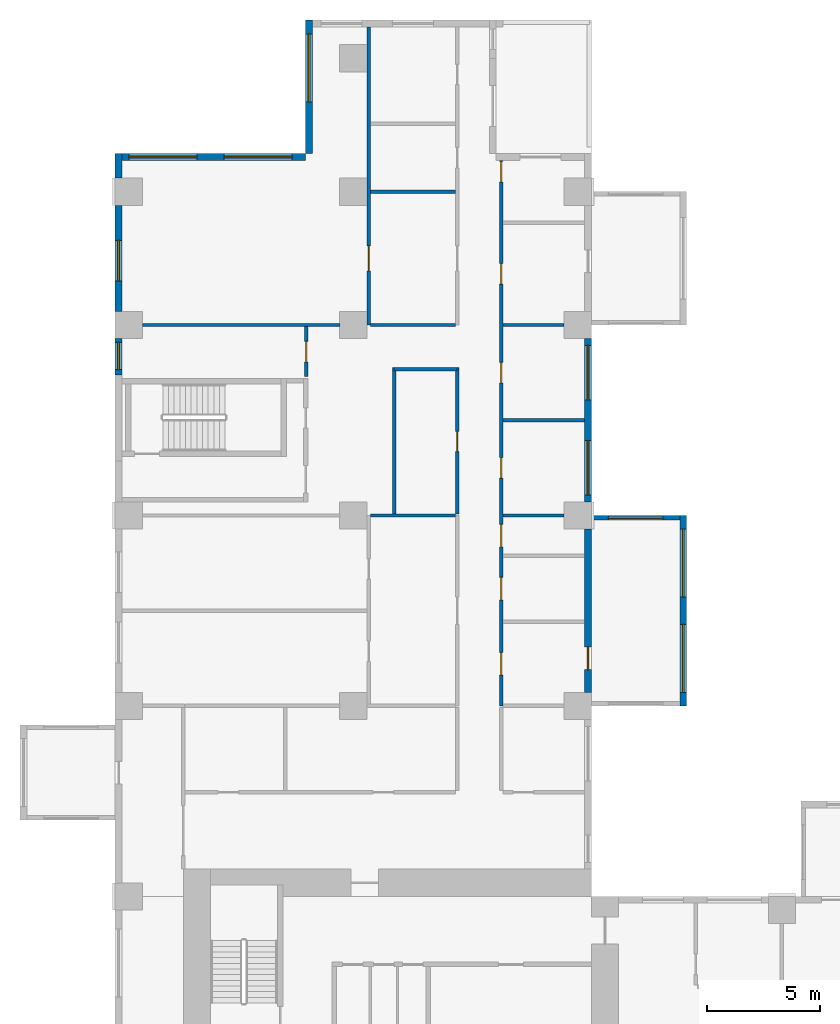
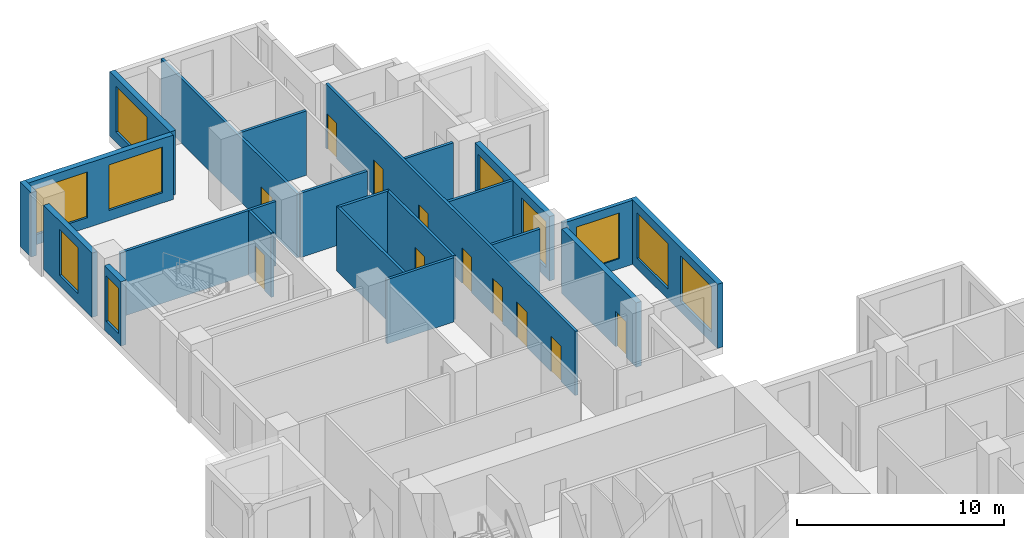
# One storey, part 7 of 14: 22 walls, 11 doors, 10 windows, 21 openings.
"""IFC4 building model written with IfcOpenShell, lengths in metres."""

import ifcopenshell
import ifcopenshell.guid

model = None  # the IFC model being written
_history = None  # IfcOwnerHistory: only IFC2X3 demands one
_inside = {}  # id of a spatial element -> (the spatial element, [elements in it])
_under = {}  # id of a project, library or spatial element -> (it, [spatial elements below it])
_declared = {}  # id of a project -> (the project, [libraries it declares])
_typed = {}  # id of a type object -> (the type object, [elements of that type])
_made_of = {}  # id of a material, layer set ... -> (it, [elements and type objects made of it])


def new_model(schema):
    """Start an empty IFC model of exactly this schema.

    Asked for "IFC4X3", IfcOpenShell would pick the latest addendum, in which some entities
    have other attributes; the version numbers below select the first issue.
    IFC2X3 requires an IfcOwnerHistory on every rooted entity: one is made here for all.
    """
    global model, _history
    if schema == "IFC4X3":
        model = ifcopenshell.file(schema_version=(4, 3, 0, 0))
    else:
        model = ifcopenshell.file(schema=schema)
    _inside.clear()
    _under.clear()
    _declared.clear()
    _typed.clear()
    _made_of.clear()
    _history = None
    if model.schema == "IFC2X3":
        org = make("IfcOrganization", Name="unknown")
        user = make(
            "IfcPersonAndOrganization",
            ThePerson=make("IfcPerson", FamilyName="unknown"),
            TheOrganization=org,
        )
        app = make(
            "IfcApplication",
            ApplicationDeveloper=org,
            Version="unknown",
            ApplicationFullName="unknown",
            ApplicationIdentifier="unknown",
        )
        _history = make(
            "IfcOwnerHistory",
            OwningUser=user,
            OwningApplication=app,
            ChangeAction="ADDED",
            CreationDate=0,
        )
    return model


def make(cls, **values):
    """One entity of the class cls with the attributes given. An attribute that is None is left unset."""
    return model.create_entity(
        cls, **{name: value for name, value in values.items() if value is not None}
    )


def rooted(cls, **values):
    """An entity with a GlobalId (a new one), such as an element, a storey or a relation."""
    return make(cls, GlobalId=ifcopenshell.guid.new(), OwnerHistory=_history, **values)


def si_unit(unit_type, name, prefix=None):
    """IfcSIUnit, for example si_unit("LENGTHUNIT", "METRE", prefix="MILLI")."""
    return make("IfcSIUnit", UnitType=unit_type, Prefix=prefix, Name=name)


def assignment(units):
    """IfcUnitAssignment: the units of a project."""
    return None if units is None else make("IfcUnitAssignment", Units=units)


def point(xyz):
    """IfcCartesianPoint."""
    return None if xyz is None else make("IfcCartesianPoint", Coordinates=xyz)


def direction(xyz):
    """IfcDirection."""
    return None if xyz is None else make("IfcDirection", DirectionRatios=xyz)


def frame(location, z_axis=None, x_axis=None):
    """IfcAxis2Placement3D, a coordinate frame: its origin and axes. An axis left out is left unset."""
    return make(
        "IfcAxis2Placement3D",
        Location=point(location),
        Axis=direction(z_axis),
        RefDirection=direction(x_axis),
    )


def frame_2d(location, x_axis=None):
    """IfcAxis2Placement2D, a coordinate frame in the plane: its origin and x axis."""
    return make(
        "IfcAxis2Placement2D", Location=point(location), RefDirection=direction(x_axis)
    )


def origin():
    """The frame at (0, 0, 0) with its axes left unset."""
    return frame((0.0, 0.0, 0.0))


def place(relative_to, where):
    """IfcLocalPlacement: puts the frame where relative to a parent placement (None: the world)."""
    return make(
        "IfcLocalPlacement", PlacementRelTo=relative_to, RelativePlacement=where
    )


def context(
    kind, dimensions, precision=None, world=None, true_north=None, identifier=None
):
    """IfcGeometricRepresentationContext, for example the 3D "Model" context."""
    return make(
        "IfcGeometricRepresentationContext",
        ContextIdentifier=identifier,
        ContextType=kind,
        CoordinateSpaceDimension=dimensions,
        Precision=precision,
        WorldCoordinateSystem=world,
        TrueNorth=true_north,
    )


def subcontext(parent, identifier, kind, view, scale=None):
    """IfcGeometricRepresentationSubContext, for example "Body" below "Model"."""
    return make(
        "IfcGeometricRepresentationSubContext",
        ContextIdentifier=identifier,
        ContextType=kind,
        ParentContext=parent,
        TargetScale=scale,
        TargetView=view,
    )


def project(units=None, contexts=None):
    """IfcProject with its units and contexts."""
    return rooted(
        "IfcProject",
        Name="project",
        RepresentationContexts=contexts,
        UnitsInContext=assignment(units),
    )


def spatial(cls, under=None, at=None, **own):
    """A site, building, storey or space (cls), placed at a placement, below another one or the project."""
    s = rooted(cls, ObjectPlacement=at, **own)
    if under is not None:
        _under.setdefault(under.id(), (under, []))[1].append(s)
    return s


def profile(cls, at=None, kind="AREA", **sizes):
    """A parametric profile (cls). Its sizes go by their IFC names, for example OverallWidth=200.0."""
    return make(cls, ProfileType=kind, Position=at, **sizes)


def rectangle(**sizes):
    """IfcRectangleProfileDef."""
    return profile("IfcRectangleProfileDef", **sizes)


def extrude(swept, where, along, depth):
    """IfcExtrudedAreaSolid: the profile swept, set in the frame where, extruded along a direction by depth."""
    return make(
        "IfcExtrudedAreaSolid",
        SweptArea=swept,
        Position=where,
        ExtrudedDirection=direction(along),
        Depth=depth,
    )


def shape(context_of_items, identifier, shape_type, items):
    """IfcShapeRepresentation: the items that make up one representation, for example the "Body"."""
    return make(
        "IfcShapeRepresentation",
        ContextOfItems=context_of_items,
        RepresentationIdentifier=identifier,
        RepresentationType=shape_type,
        Items=items,
    )


def source(mapping_origin, context_of_items, identifier, shape_type, items):
    """IfcRepresentationMap: a shape defined once, which mapped items show again and again."""
    return make(
        "IfcRepresentationMap",
        MappingOrigin=mapping_origin,
        MappedRepresentation=shape(context_of_items, identifier, shape_type, items),
    )


def transform(
    local_origin,
    x_axis=None,
    y_axis=None,
    z_axis=None,
    scale=None,
    scale2=None,
    scale3=None,
    uniform=True,
):
    """IfcCartesianTransformationOperator3D, or its non-uniform kind. x_axis, y_axis, z_axis: its Axis1, 2, 3."""
    if uniform:
        return make(
            "IfcCartesianTransformationOperator3D",
            Axis1=direction(x_axis),
            Axis2=direction(y_axis),
            LocalOrigin=point(local_origin),
            Scale=scale,
            Axis3=direction(z_axis),
        )
    return make(
        "IfcCartesianTransformationOperator3DnonUniform",
        Axis1=direction(x_axis),
        Axis2=direction(y_axis),
        LocalOrigin=point(local_origin),
        Scale=scale,
        Axis3=direction(z_axis),
        Scale2=scale2,
        Scale3=scale3,
    )


def mapped(mapping_source, mapping_target):
    """IfcMappedItem: shows the shape of a source again, moved by a transform."""
    return make(
        "IfcMappedItem", MappingSource=mapping_source, MappingTarget=mapping_target
    )


def material(Name=None, Category=None):
    """IfcMaterial."""
    return make("IfcMaterial", Name=Name, Category=Category)


def layer(
    of_material, thickness, ventilated=None, Name=None, Category=None, Priority=None
):
    """IfcMaterialLayer: one layer of a wall or slab, of a material (None: an air gap)."""
    return make(
        "IfcMaterialLayer",
        Material=of_material,
        LayerThickness=thickness,
        IsVentilated=ventilated,
        Name=Name,
        Category=Category,
        Priority=Priority,
    )


def layer_set(layers, Name=None):
    """IfcMaterialLayerSet."""
    return make("IfcMaterialLayerSet", MaterialLayers=layers, LayerSetName=Name)


def made_of(thing, what):
    """Note that an element or type object is made of a material, layer set ...; save() writes the relation."""
    if what is not None:
        _made_of.setdefault(what.id(), (what, []))[1].append(thing)
    return thing


def type_object(cls, material=None, **own):
    """A type object (cls), such as IfcWallType, which elements share."""
    return made_of(rooted(cls, **own), material)


def element(
    cls,
    number,
    at=None,
    inside=None,
    cuts=None,
    type_object=None,
    material=None,
    context=None,
    identifier="Body",
    shape_type=None,
    held_by="IfcProductDefinitionShape",
    body=None,
    shapes=None,
    **own,
):
    """One element of the class cls, such as IfcWall. Its Tag is "e" and its number.

    at: its placement. inside: the storey or other place that contains it. cuts: it is an
    opening in that element (IfcRelVoidsElement). A single representation is given by context,
    identifier, shape_type and body (its items); several are given by shapes. held_by: the class
    of the entity that holds the representations. save() writes the other relations.
    """
    e = rooted(cls, Tag="e%d" % number, ObjectPlacement=at, **own)
    if body is not None:
        shapes = [shape(context, identifier, shape_type, body)]
    if shapes is not None:
        e.Representation = make(held_by, Representations=shapes)
    if inside is not None:
        _inside.setdefault(inside.id(), (inside, []))[1].append(e)
    if cuts is not None:
        rooted(
            "IfcRelVoidsElement", RelatingBuildingElement=cuts, RelatedOpeningElement=e
        )
    if type_object is not None:
        _typed.setdefault(type_object.id(), (type_object, []))[1].append(e)
    return made_of(e, material)


def fill(opening, filler):
    """IfcRelFillsElement: the door or window that sits in an opening."""
    return rooted(
        "IfcRelFillsElement",
        RelatingOpeningElement=opening,
        RelatedBuildingElement=filler,
    )


def aggregate(whole, parts):
    """IfcRelAggregates: a whole, such as a stair, and the parts it consists of."""
    return rooted("IfcRelAggregates", RelatingObject=whole, RelatedObjects=parts)


def save(model, path):
    """Write the relations noted so far, then the file.

    IfcRelAggregates (storeys below a building ...), IfcRelContainedInSpatialStructure (elements
    in a storey), IfcRelDefinesByType, IfcRelAssociatesMaterial and IfcRelDeclares: one each for
    every whole, place, type object, material and project.
    """
    for whole, parts in _under.values():
        aggregate(whole, parts)
    for where, things in _inside.values():
        rooted(
            "IfcRelContainedInSpatialStructure",
            RelatedElements=things,
            RelatingStructure=where,
        )
    for kind, things in _typed.values():
        rooted("IfcRelDefinesByType", RelatedObjects=things, RelatingType=kind)
    for what, things in _made_of.values():
        rooted("IfcRelAssociatesMaterial", RelatedObjects=things, RelatingMaterial=what)
    for by, libraries in _declared.values():
        rooted("IfcRelDeclares", RelatingContext=by, RelatedDefinitions=libraries)
    model.write(path)


model = new_model("IFC4")

# Units and contexts
model_context = context("Model", 3, precision=1e-05, world=origin(), true_north=direction((0.0, 1.0)))
body_context = subcontext(model_context, "Body", "Model", "MODEL_VIEW")
ifc_project = project(units=[si_unit("LENGTHUNIT", "METRE"), si_unit("AREAUNIT", "SQUARE_METRE"), si_unit("VOLUMEUNIT", "CUBIC_METRE"), si_unit("PLANEANGLEUNIT", "RADIAN"), si_unit("MASSUNIT", "GRAM", prefix="KILO")], contexts=[model_context])

# Site, building, storey
site_placement = place(None, origin())
site = spatial("IfcSite", under=ifc_project, at=site_placement, CompositionType="ELEMENT")
building_placement = place(site_placement, origin())
building = spatial("IfcBuilding", under=site, at=building_placement, Name="Aurelian Terraces", CompositionType="ELEMENT")
storey_placement = place(building_placement, frame((0.0, 0.0, 90.9)))
storey = spatial("IfcBuildingStorey", under=building, at=storey_placement, Name="L19", CompositionType="ELEMENT", Elevation=90.9)

# Wall, openings, doors
ifc_material_1 = material(Name="Gypsum board on steel studs", Category="steel")
ifc_layer_1 = layer(ifc_material_1, 0.15)
ifc_layer_set_1 = layer_set([ifc_layer_1], Name="Fire partition 150")
wall_type_1 = type_object("IfcWallType", Name="Fire partition 150", PredefinedType="PARTITIONING", material=ifc_layer_set_1)
wall_1_placement = place(storey_placement, frame((17.025, 53.555, 0.0), z_axis=(0.0, 0.0, 1.0), x_axis=(0.0, -1.0, 0.0)))
wall_1 = element("IfcWall", 1, at=wall_1_placement, inside=storey, type_object=wall_type_1, Name="Corridor wall", PredefinedType="PARTITIONING", context=body_context, shape_type="SweptSolid", body=[
    extrude(rectangle(XDim=24.155, YDim=0.15, at=frame_2d((12.0775, 0.0))), origin(), (0.0, 0.0, 1.0), 3.8),
])
shared_shape_1 = source(origin(), body_context, "Body", "SweptSolid", [
    extrude(rectangle(XDim=1.0, YDim=2.1, at=frame_2d((0.5, 1.05))), frame((0.0, 0.085, 0.0), z_axis=(0.0, -1.0, 0.0), x_axis=(1.0, 0.0, 0.0)), (0.0, 0.0, 1.0), 0.17),
])
opening_1_placement = place(wall_1_placement, frame((21.7983, 0.0, 0.0)))
opening_1 = element("IfcOpeningElement", 2, at=opening_1_placement, cuts=wall_1, Name="Opening 719040", PredefinedType="OPENING", context=body_context, shape_type="MappedRepresentation", body=[
    mapped(shared_shape_1, transform((0.0, 0.0, 0.0), scale=1.0)),
])
opening_2_placement = place(wall_1_placement, frame((18.4864, 0.0, 0.0)))
opening_2 = element("IfcOpeningElement", 3, at=opening_2_placement, cuts=wall_1, Name="Opening 719041", PredefinedType="OPENING", context=body_context, shape_type="MappedRepresentation", body=[
    mapped(shared_shape_1, transform((0.0, 0.0, 0.0), scale=1.0)),
])
opening_3_placement = place(wall_1_placement, frame((16.143, 0.0, 0.0)))
opening_3 = element("IfcOpeningElement", 4, at=opening_3_placement, cuts=wall_1, Name="Opening 719042", PredefinedType="OPENING", context=body_context, shape_type="MappedRepresentation", body=[
    mapped(shared_shape_1, transform((0.0, 0.0, 0.0), scale=1.0)),
])
shared_shape_2 = source(origin(), body_context, "Body", "SweptSolid", [
    extrude(rectangle(XDim=0.9, YDim=2.1, at=frame_2d((0.45, 1.05))), frame((0.0, 0.085, 0.0), z_axis=(0.0, -1.0, 0.0), x_axis=(1.0, 0.0, 0.0)), (0.0, 0.0, 1.0), 0.17),
])
opening_4_placement = place(wall_1_placement, frame((13.205, 0.0, 0.0)))
opening_4 = element("IfcOpeningElement", 5, at=opening_4_placement, cuts=wall_1, Name="Opening 719043", PredefinedType="OPENING", context=body_context, shape_type="MappedRepresentation", body=[
    mapped(shared_shape_2, transform((0.0, 0.0, 0.0), scale=1.0)),
])
opening_5_placement = place(wall_1_placement, frame((9.005, 0.0, 0.0)))
opening_5 = element("IfcOpeningElement", 6, at=opening_5_placement, cuts=wall_1, Name="Opening 719044", PredefinedType="OPENING", context=body_context, shape_type="MappedRepresentation", body=[
    mapped(shared_shape_2, transform((0.0, 0.0, 0.0), scale=1.0)),
])
opening_6_placement = place(wall_1_placement, frame((4.6512, 0.0, 0.0)))
opening_6 = element("IfcOpeningElement", 7, at=opening_6_placement, cuts=wall_1, Name="Opening 719045", PredefinedType="OPENING", context=body_context, shape_type="MappedRepresentation", body=[
    mapped(shared_shape_2, transform((0.0, 0.0, 0.0), scale=1.0)),
])
opening_7_placement = place(wall_1_placement, frame((0.1438, 0.0, 0.0)))
opening_7 = element("IfcOpeningElement", 8, at=opening_7_placement, cuts=wall_1, Name="Opening 719046", PredefinedType="OPENING", context=body_context, shape_type="MappedRepresentation", body=[
    mapped(shared_shape_2, transform((0.0, 0.0, 0.0), scale=1.0)),
])
ifc_material_2 = material(Name="Timber door leaf", Category="wood")
door_type_1 = type_object("IfcDoorType", Name="Room door 1000x2100 left", OperationType="SINGLE_SWING_LEFT", PredefinedType="DOOR", material=ifc_material_2)
shared_shape_3 = source(origin(), body_context, "Body", "SweptSolid", [
    extrude(rectangle(XDim=1.0, YDim=2.1, at=frame_2d((0.5, 1.05))), frame((0.0, 0.025, 0.0), z_axis=(0.0, -1.0, 0.0), x_axis=(1.0, 0.0, 0.0)), (0.0, 0.0, 1.0), 0.05),
])
door_1_placement = place(opening_1_placement, origin())
door_1 = element("IfcDoor", 9, at=door_1_placement, inside=storey, type_object=door_type_1, Name="Door 719040", OperationType="SINGLE_SWING_LEFT", OverallHeight=2.1, OverallWidth=1.0, PredefinedType="DOOR", context=body_context, shape_type="MappedRepresentation", body=[
    mapped(shared_shape_3, transform((0.0, 0.0, 0.0), scale=1.0)),
])
fill(opening_1, door_1)
door_type_2 = type_object("IfcDoorType", Name="Room door 1000x2100 right", OperationType="SINGLE_SWING_RIGHT", PredefinedType="DOOR", material=ifc_material_2)
door_2_placement = place(opening_2_placement, origin())
door_2 = element("IfcDoor", 10, at=door_2_placement, inside=storey, type_object=door_type_2, Name="Door 719041", OperationType="SINGLE_SWING_RIGHT", OverallHeight=2.1, OverallWidth=1.0, PredefinedType="DOOR", context=body_context, shape_type="MappedRepresentation", body=[
    mapped(shared_shape_3, transform((0.0, 0.0, 0.0), scale=1.0)),
])
fill(opening_2, door_2)
door_3_placement = place(opening_3_placement, origin())
door_3 = element("IfcDoor", 11, at=door_3_placement, inside=storey, type_object=door_type_1, Name="Door 719042", OperationType="SINGLE_SWING_LEFT", OverallHeight=2.1, OverallWidth=1.0, PredefinedType="DOOR", context=body_context, shape_type="MappedRepresentation", body=[
    mapped(shared_shape_3, transform((0.0, 0.0, 0.0), scale=1.0)),
])
fill(opening_3, door_3)
door_type_3 = type_object("IfcDoorType", Name="Room door 900x2100 left", OperationType="SINGLE_SWING_LEFT", PredefinedType="DOOR", material=ifc_material_2)
shared_shape_4 = source(origin(), body_context, "Body", "SweptSolid", [
    extrude(rectangle(XDim=0.9, YDim=2.1, at=frame_2d((0.45, 1.05))), frame((0.0, 0.025, 0.0), z_axis=(0.0, -1.0, 0.0), x_axis=(1.0, 0.0, 0.0)), (0.0, 0.0, 1.0), 0.05),
])
door_4_placement = place(opening_4_placement, origin())
door_4 = element("IfcDoor", 12, at=door_4_placement, inside=storey, type_object=door_type_3, Name="Door 719043", OperationType="SINGLE_SWING_LEFT", OverallHeight=2.1, OverallWidth=0.9, PredefinedType="DOOR", context=body_context, shape_type="MappedRepresentation", body=[
    mapped(shared_shape_4, transform((0.0, 0.0, 0.0), scale=1.0)),
])
fill(opening_4, door_4)
door_type_4 = type_object("IfcDoorType", Name="Room door 900x2100 right", OperationType="SINGLE_SWING_RIGHT", PredefinedType="DOOR", material=ifc_material_2)
door_5_placement = place(opening_5_placement, origin())
door_5 = element("IfcDoor", 13, at=door_5_placement, inside=storey, type_object=door_type_4, Name="Door 719044", OperationType="SINGLE_SWING_RIGHT", OverallHeight=2.1, OverallWidth=0.9, PredefinedType="DOOR", context=body_context, shape_type="MappedRepresentation", body=[
    mapped(shared_shape_4, transform((0.0, 0.0, 0.0), scale=1.0)),
])
fill(opening_5, door_5)
door_6_placement = place(opening_6_placement, origin())
door_6 = element("IfcDoor", 14, at=door_6_placement, inside=storey, type_object=door_type_3, Name="Door 719045", OperationType="SINGLE_SWING_LEFT", OverallHeight=2.1, OverallWidth=0.9, PredefinedType="DOOR", context=body_context, shape_type="MappedRepresentation", body=[
    mapped(shared_shape_4, transform((0.0, 0.0, 0.0), scale=1.0)),
])
fill(opening_6, door_6)
door_7_placement = place(opening_7_placement, origin())
door_7 = element("IfcDoor", 15, at=door_7_placement, inside=storey, type_object=door_type_4, Name="Door 719046", OperationType="SINGLE_SWING_RIGHT", OverallHeight=2.1, OverallWidth=0.9, PredefinedType="DOOR", context=body_context, shape_type="MappedRepresentation", body=[
    mapped(shared_shape_4, transform((0.0, 0.0, 0.0), scale=1.0)),
])
fill(opening_7, door_7)

# Wall, opening, door
ifc_material_3 = material(Name="Terracotta rainscreen cladding", Category="masonry")
ifc_layer_2 = layer(ifc_material_3, 0.3)
ifc_layer_set_2 = layer_set([ifc_layer_2], Name="EW-300")
wall_type_2 = type_object("IfcWallType", Name="EW-300", PredefinedType="STANDARD", material=ifc_layer_set_2)
shared_shape_5 = source(origin(), body_context, "Body", "SweptSolid", [
    extrude(rectangle(XDim=7.2, YDim=0.3, at=frame_2d((3.6, 0.0))), origin(), (0.0, 0.0, 1.0), 3.8),
])
wall_2_placement = place(storey_placement, frame((20.85, 30.0, 0.0), z_axis=(0.0, 0.0, 1.0), x_axis=(0.0, 1.0, 0.0)))
wall_2 = element("IfcWall", 16, at=wall_2_placement, inside=storey, type_object=wall_type_2, Name="External wall L19 F08.25", PredefinedType="STANDARD", context=body_context, shape_type="MappedRepresentation", body=[
    mapped(shared_shape_5, transform((0.0, 0.0, 0.0), scale=1.0)),
])
shared_shape_6 = source(origin(), body_context, "Body", "SweptSolid", [
    extrude(rectangle(XDim=1.0, YDim=2.1, at=frame_2d((0.5, 1.05))), frame((0.0, 0.16, 0.0), z_axis=(0.0, -1.0, 0.0), x_axis=(1.0, 0.0, 0.0)), (0.0, 0.0, 1.0), 0.32),
])
opening_8_placement = place(wall_2_placement, frame((1.0, 0.0, 0.0)))
opening_8 = element("IfcOpeningElement", 17, at=opening_8_placement, cuts=wall_2, Name="Opening 819005", PredefinedType="OPENING", context=body_context, shape_type="MappedRepresentation", body=[
    mapped(shared_shape_6, transform((0.0, 0.0, 0.0), scale=1.0)),
])
door_8_placement = place(opening_8_placement, origin())
door_8 = element("IfcDoor", 18, at=door_8_placement, inside=storey, type_object=door_type_1, Name="Door 819005", OperationType="SINGLE_SWING_LEFT", OverallHeight=2.1, OverallWidth=1.0, PredefinedType="DOOR", context=body_context, shape_type="MappedRepresentation", body=[
    mapped(shared_shape_3, transform((0.0, 0.0, 0.0), scale=1.0)),
])
fill(opening_8, door_8)

# Wall, openings, windows
wall_3_placement = place(storey_placement, frame((20.85, 38.4, 0.0), z_axis=(0.0, 0.0, 1.0), x_axis=(0.0, 1.0, 0.0)))
wall_3 = element("IfcWall", 19, at=wall_3_placement, inside=storey, type_object=wall_type_2, Name="External wall L19 F08.26", PredefinedType="STANDARD", context=body_context, shape_type="MappedRepresentation", body=[
    mapped(shared_shape_5, transform((0.0, 0.0, 0.0), scale=1.0)),
])
shared_shape_7 = source(origin(), body_context, "Body", "SweptSolid", [
    extrude(rectangle(XDim=2.4, YDim=2.7, at=frame_2d((1.2, 1.35))), frame((0.0, 0.16, 0.0), z_axis=(0.0, -1.0, 0.0), x_axis=(1.0, 0.0, 0.0)), (0.0, 0.0, 1.0), 0.32),
])
opening_9_placement = place(wall_3_placement, frame((0.3, 0.0, 0.6)))
opening_9 = element("IfcOpeningElement", 20, at=opening_9_placement, cuts=wall_3, Name="Opening W2427", PredefinedType="OPENING", context=body_context, shape_type="MappedRepresentation", body=[
    mapped(shared_shape_7, transform((0.0, 0.0, 0.0), scale=1.0)),
])
opening_10_placement = place(wall_3_placement, frame((4.5, 0.0, 0.6)))
opening_10 = element("IfcOpeningElement", 21, at=opening_10_placement, cuts=wall_3, Name="Opening W2427", PredefinedType="OPENING", context=body_context, shape_type="MappedRepresentation", body=[
    mapped(shared_shape_7, transform((0.0, 0.0, 0.0), scale=1.0)),
])
ifc_material_4 = material(Name="Clear glazing", Category="glass")
window_type_1 = type_object("IfcWindowType", Name="W-2400x2700", PartitioningType="SINGLE_PANEL", PredefinedType="WINDOW", material=ifc_material_4)
shared_shape_8 = source(origin(), body_context, "Body", "SweptSolid", [
    extrude(rectangle(XDim=2.4, YDim=2.7, at=frame_2d((1.2, 1.35))), frame((0.0, 0.03, 0.0), z_axis=(0.0, -1.0, 0.0), x_axis=(1.0, 0.0, 0.0)), (0.0, 0.0, 1.0), 0.06),
])
window_1_placement = place(opening_9_placement, origin())
window_1 = element("IfcWindow", 22, at=window_1_placement, inside=storey, type_object=window_type_1, Name="Window L19 L19-F08-26-0", OverallHeight=2.7, OverallWidth=2.4, PartitioningType="SINGLE_PANEL", PredefinedType="WINDOW", context=body_context, shape_type="MappedRepresentation", body=[
    mapped(shared_shape_8, transform((0.0, 0.0, 0.0), scale=1.0)),
])
fill(opening_9, window_1)
window_2_placement = place(opening_10_placement, origin())
window_2 = element("IfcWindow", 23, at=window_2_placement, inside=storey, type_object=window_type_1, Name="Window L19 L19-F08-26-1", OverallHeight=2.7, OverallWidth=2.4, PartitioningType="SINGLE_PANEL", PredefinedType="WINDOW", context=body_context, shape_type="MappedRepresentation", body=[
    mapped(shared_shape_8, transform((0.0, 0.0, 0.0), scale=1.0)),
])
fill(opening_10, window_2)

# Wall, opening, window
shared_shape_9 = source(origin(), body_context, "Body", "SweptSolid", [
    extrude(rectangle(XDim=4.68, YDim=0.3, at=frame_2d((2.34, 0.0))), origin(), (0.0, 0.0, 1.0), 3.8),
])
wall_4_placement = place(storey_placement, frame((0.15, 51.48, 0.0), z_axis=(0.0, 0.0, 1.0), x_axis=(0.0, -1.0, 0.0)))
wall_4 = element("IfcWall", 24, at=wall_4_placement, inside=storey, type_object=wall_type_2, Name="External wall L19 F14.35", PredefinedType="STANDARD", context=body_context, shape_type="MappedRepresentation", body=[
    mapped(shared_shape_9, transform((0.0, 0.0, 0.0), scale=1.0)),
])
shared_shape_10 = source(origin(), body_context, "Body", "SweptSolid", [
    extrude(rectangle(XDim=1.8, YDim=2.7, at=frame_2d((0.9, 1.35))), frame((0.0, 0.16, 0.0), z_axis=(0.0, -1.0, 0.0), x_axis=(1.0, 0.0, 0.0)), (0.0, 0.0, 1.0), 0.32),
])
opening_11_placement = place(wall_4_placement, frame((1.545, 0.0, 0.6)))
opening_11 = element("IfcOpeningElement", 25, at=opening_11_placement, cuts=wall_4, Name="Opening W1827", PredefinedType="OPENING", context=body_context, shape_type="MappedRepresentation", body=[
    mapped(shared_shape_10, transform((0.0, 0.0, 0.0), scale=1.0)),
])
window_type_2 = type_object("IfcWindowType", Name="W-1800x2700", PartitioningType="SINGLE_PANEL", PredefinedType="WINDOW", material=ifc_material_4)
shared_shape_11 = source(origin(), body_context, "Body", "SweptSolid", [
    extrude(rectangle(XDim=1.8, YDim=2.7, at=frame_2d((0.9, 1.35))), frame((0.0, 0.03, 0.0), z_axis=(0.0, -1.0, 0.0), x_axis=(1.0, 0.0, 0.0)), (0.0, 0.0, 1.0), 0.06),
])
window_3_placement = place(opening_11_placement, origin())
window_3 = element("IfcWindow", 26, at=window_3_placement, inside=storey, type_object=window_type_2, Name="Window L19 L19-F14-35-1", OverallHeight=2.7, OverallWidth=1.8, PartitioningType="SINGLE_PANEL", PredefinedType="WINDOW", context=body_context, shape_type="MappedRepresentation", body=[
    mapped(shared_shape_11, transform((0.0, 0.0, 0.0), scale=1.0)),
])
fill(opening_11, window_3)

shared_shape_12 = source(origin(), body_context, "Body", "SweptSolid", [
    extrude(rectangle(XDim=5.88, YDim=0.3, at=frame_2d((2.94, 0.0))), origin(), (0.0, 0.0, 1.0), 3.8),
])
wall_5_placement = place(storey_placement, frame((8.55, 59.64, 0.0), z_axis=(0.0, 0.0, 1.0), x_axis=(0.0, -1.0, 0.0)))
wall_5 = element("IfcWall", 27, at=wall_5_placement, inside=storey, type_object=wall_type_2, Name="External wall L19 F12.33", PredefinedType="STANDARD", context=body_context, shape_type="MappedRepresentation", body=[
    mapped(shared_shape_12, transform((0.0, 0.0, 0.0), scale=1.0)),
])
shared_shape_13 = source(origin(), body_context, "Body", "SweptSolid", [
    extrude(rectangle(XDim=3.0, YDim=2.7, at=frame_2d((1.5, 1.35))), frame((0.0, 0.16, 0.0), z_axis=(0.0, -1.0, 0.0), x_axis=(1.0, 0.0, 0.0)), (0.0, 0.0, 1.0), 0.32),
])
opening_12_placement = place(wall_5_placement, frame((0.6, 0.0, 0.6)))
opening_12 = element("IfcOpeningElement", 28, at=opening_12_placement, cuts=wall_5, Name="Opening W3027", PredefinedType="OPENING", context=body_context, shape_type="MappedRepresentation", body=[
    mapped(shared_shape_13, transform((0.0, 0.0, 0.0), scale=1.0)),
])
window_type_3 = type_object("IfcWindowType", Name="W-3000x2700", PartitioningType="SINGLE_PANEL", PredefinedType="WINDOW", material=ifc_material_4)
shared_shape_14 = source(origin(), body_context, "Body", "SweptSolid", [
    extrude(rectangle(XDim=3.0, YDim=2.7, at=frame_2d((1.5, 1.35))), frame((0.0, 0.03, 0.0), z_axis=(0.0, -1.0, 0.0), x_axis=(1.0, 0.0, 0.0)), (0.0, 0.0, 1.0), 0.06),
])
window_4_placement = place(opening_12_placement, origin())
window_4 = element("IfcWindow", 29, at=window_4_placement, inside=storey, type_object=window_type_3, Name="Window L19 L19-F12-33-0", OverallHeight=2.7, OverallWidth=3.0, PartitioningType="SINGLE_PANEL", PredefinedType="WINDOW", context=body_context, shape_type="MappedRepresentation", body=[
    mapped(shared_shape_14, transform((0.0, 0.0, 0.0), scale=1.0)),
])
fill(opening_12, window_4)

shared_shape_15 = source(origin(), body_context, "Body", "SweptSolid", [
    extrude(rectangle(XDim=1.6, YDim=0.3, at=frame_2d((0.8, 0.0))), origin(), (0.0, 0.0, 1.0), 3.8),
])
wall_6_placement = place(storey_placement, frame((0.15, 45.6, 0.0), z_axis=(0.0, 0.0, 1.0), x_axis=(0.0, -1.0, 0.0)))
wall_6 = element("IfcWall", 30, at=wall_6_placement, inside=storey, type_object=wall_type_2, Name="External wall L19 F14.35", PredefinedType="STANDARD", context=body_context, shape_type="MappedRepresentation", body=[
    mapped(shared_shape_15, transform((0.0, 0.0, 0.0), scale=1.0)),
])
shared_shape_16 = source(origin(), body_context, "Body", "SweptSolid", [
    extrude(rectangle(XDim=1.2, YDim=2.7, at=frame_2d((0.6, 1.35))), frame((0.0, 0.16, 0.0), z_axis=(0.0, -1.0, 0.0), x_axis=(1.0, 0.0, 0.0)), (0.0, 0.0, 1.0), 0.32),
])
opening_13_placement = place(wall_6_placement, frame((0.165, 0.0, 0.6)))
opening_13 = element("IfcOpeningElement", 31, at=opening_13_placement, cuts=wall_6, Name="Opening W1227", PredefinedType="OPENING", context=body_context, shape_type="MappedRepresentation", body=[
    mapped(shared_shape_16, transform((0.0, 0.0, 0.0), scale=1.0)),
])
window_type_4 = type_object("IfcWindowType", Name="W-1200x2700", PartitioningType="SINGLE_PANEL", PredefinedType="WINDOW", material=ifc_material_4)
shared_shape_17 = source(origin(), body_context, "Body", "SweptSolid", [
    extrude(rectangle(XDim=1.2, YDim=2.7, at=frame_2d((0.6, 1.35))), frame((0.0, 0.03, 0.0), z_axis=(0.0, -1.0, 0.0), x_axis=(1.0, 0.0, 0.0)), (0.0, 0.0, 1.0), 0.06),
])
window_5_placement = place(opening_13_placement, origin())
window_5 = element("IfcWindow", 32, at=window_5_placement, inside=storey, type_object=window_type_4, Name="Window L19 L19-F14-35-2", OverallHeight=2.7, OverallWidth=1.2, PartitioningType="SINGLE_PANEL", PredefinedType="WINDOW", context=body_context, shape_type="MappedRepresentation", body=[
    mapped(shared_shape_17, transform((0.0, 0.0, 0.0), scale=1.0)),
])
fill(opening_13, window_5)

# Wall
shared_shape_18 = source(origin(), body_context, "Body", "SweptSolid", [
    extrude(rectangle(XDim=1.08, YDim=0.3, at=frame_2d((0.54, 0.0))), origin(), (0.0, 0.0, 1.0), 3.8),
])
wall_7_placement = place(storey_placement, frame((0.15, 53.76, 0.0), z_axis=(0.0, 0.0, 1.0), x_axis=(0.0, -1.0, 0.0)))
element("IfcWall", 33, at=wall_7_placement, inside=storey, type_object=wall_type_2, Name="External wall L19 F14.35", PredefinedType="STANDARD", context=body_context, shape_type="MappedRepresentation", body=[
    mapped(shared_shape_18, transform((0.0, 0.0, 0.0), scale=1.0)),
])

# Wall, opening, window
ifc_material_5 = material(Name="Concrete fc' 40 MPa", Category="concrete")
ifc_layer_3 = layer(ifc_material_5, 0.2)
ifc_layer_set_3 = layer_set([ifc_layer_3], Name="BOX BEARING WALL 200")
wall_type_3 = type_object("IfcWallType", Name="BOX BEARING WALL 200", PredefinedType="SOLIDWALL", material=ifc_layer_set_3)
shared_shape_19 = source(origin(), body_context, "Body", "SweptSolid", [
    extrude(rectangle(XDim=3.9, YDim=0.2, at=frame_2d((1.95, 0.0))), origin(), (0.0, 0.0, 1.0), 3.79),
])
wall_8_placement = place(storey_placement, frame((21.0, 37.7, 0.0), z_axis=(0.0, 0.0, 1.0), x_axis=(1.0, 0.0, 0.0)))
wall_8 = element("IfcWall", 34, at=wall_8_placement, inside=storey, type_object=wall_type_3, Name="Box return L19 J27.2", PredefinedType="SOLIDWALL", context=body_context, shape_type="MappedRepresentation", body=[
    mapped(shared_shape_19, transform((0.0, 0.0, 0.0), scale=1.0)),
])
shared_shape_20 = source(origin(), body_context, "Body", "SweptSolid", [
    extrude(rectangle(XDim=2.4, YDim=2.7, at=frame_2d((1.2, 1.35))), frame((0.0, 0.11, 0.0), z_axis=(0.0, -1.0, 0.0), x_axis=(1.0, 0.0, 0.0)), (0.0, 0.0, 1.0), 0.22),
])
opening_14_placement = place(wall_8_placement, frame((0.75, 0.0, 0.6)))
opening_14 = element("IfcOpeningElement", 35, at=opening_14_placement, cuts=wall_8, Name="Opening W2427", PredefinedType="OPENING", context=body_context, shape_type="MappedRepresentation", body=[
    mapped(shared_shape_20, transform((0.0, 0.0, 0.0), scale=1.0)),
])
window_6_placement = place(opening_14_placement, origin())
window_6 = element("IfcWindow", 36, at=window_6_placement, inside=storey, type_object=window_type_1, Name="Window L19 J27-S2", OverallHeight=2.7, OverallWidth=2.4, PartitioningType="SINGLE_PANEL", PredefinedType="WINDOW", context=body_context, shape_type="MappedRepresentation", body=[
    mapped(shared_shape_8, transform((0.0, 0.0, 0.0), scale=1.0)),
])
fill(opening_14, window_6)

# Wall, openings, windows
shared_shape_21 = source(origin(), body_context, "Body", "SweptSolid", [
    extrude(rectangle(XDim=8.4, YDim=0.3, at=frame_2d((4.2, 0.0))), origin(), (0.0, 0.0, 1.0), 3.8),
])
wall_9_placement = place(storey_placement, frame((8.4, 53.61, 0.0), z_axis=(0.0, 0.0, 1.0), x_axis=(-1.0, 0.0, 0.0)))
wall_9 = element("IfcWall", 37, at=wall_9_placement, inside=storey, type_object=wall_type_2, Name="External wall L19 F13.34", PredefinedType="STANDARD", context=body_context, shape_type="MappedRepresentation", body=[
    mapped(shared_shape_21, transform((0.0, 0.0, 0.0), scale=1.0)),
])
opening_15_placement = place(wall_9_placement, frame((0.6, 0.0, 0.6)))
opening_15 = element("IfcOpeningElement", 38, at=opening_15_placement, cuts=wall_9, Name="Opening W3027", PredefinedType="OPENING", context=body_context, shape_type="MappedRepresentation", body=[
    mapped(shared_shape_13, transform((0.0, 0.0, 0.0), scale=1.0)),
])
opening_16_placement = place(wall_9_placement, frame((4.8, 0.0, 0.6)))
opening_16 = element("IfcOpeningElement", 39, at=opening_16_placement, cuts=wall_9, Name="Opening W3027", PredefinedType="OPENING", context=body_context, shape_type="MappedRepresentation", body=[
    mapped(shared_shape_13, transform((0.0, 0.0, 0.0), scale=1.0)),
])
window_7_placement = place(opening_15_placement, origin())
window_7 = element("IfcWindow", 40, at=window_7_placement, inside=storey, type_object=window_type_3, Name="Window L19 L19-F13-34-0", OverallHeight=2.7, OverallWidth=3.0, PartitioningType="SINGLE_PANEL", PredefinedType="WINDOW", context=body_context, shape_type="MappedRepresentation", body=[
    mapped(shared_shape_14, transform((0.0, 0.0, 0.0), scale=1.0)),
])
fill(opening_15, window_7)
window_8_placement = place(opening_16_placement, origin())
window_8 = element("IfcWindow", 41, at=window_8_placement, inside=storey, type_object=window_type_3, Name="Window L19 L19-F13-34-1", OverallHeight=2.7, OverallWidth=3.0, PartitioningType="SINGLE_PANEL", PredefinedType="WINDOW", context=body_context, shape_type="MappedRepresentation", body=[
    mapped(shared_shape_14, transform((0.0, 0.0, 0.0), scale=1.0)),
])
fill(opening_16, window_8)

ifc_layer_4 = layer(ifc_material_5, 0.3)
ifc_layer_set_4 = layer_set([ifc_layer_4], Name="BOX BEARING WALL 300")
wall_type_4 = type_object("IfcWallType", Name="BOX BEARING WALL 300", PredefinedType="SOLIDWALL", material=ifc_layer_set_4)
shared_shape_22 = source(origin(), body_context, "Body", "SweptSolid", [
    extrude(rectangle(XDim=8.4, YDim=0.3, at=frame_2d((4.2, 0.0))), origin(), (0.0, 0.0, 1.0), 3.79),
])
wall_10_placement = place(storey_placement, frame((25.05, 29.4, 0.0), z_axis=(0.0, 0.0, 1.0), x_axis=(0.0, 1.0, 0.0)))
wall_10 = element("IfcWall", 42, at=wall_10_placement, inside=storey, type_object=wall_type_4, Name="Box wall L19 J27", PredefinedType="SOLIDWALL", context=body_context, shape_type="MappedRepresentation", body=[
    mapped(shared_shape_22, transform((0.0, 0.0, 0.0), scale=1.0)),
])
opening_17_placement = place(wall_10_placement, frame((0.6, 0.0, 0.6)))
opening_17 = element("IfcOpeningElement", 43, at=opening_17_placement, cuts=wall_10, Name="Opening W3027", PredefinedType="OPENING", context=body_context, shape_type="MappedRepresentation", body=[
    mapped(shared_shape_13, transform((0.0, 0.0, 0.0), scale=1.0)),
])
opening_18_placement = place(wall_10_placement, frame((4.8, 0.0, 0.6)))
opening_18 = element("IfcOpeningElement", 44, at=opening_18_placement, cuts=wall_10, Name="Opening W3027", PredefinedType="OPENING", context=body_context, shape_type="MappedRepresentation", body=[
    mapped(shared_shape_13, transform((0.0, 0.0, 0.0), scale=1.0)),
])
window_9_placement = place(opening_17_placement, origin())
window_9 = element("IfcWindow", 45, at=window_9_placement, inside=storey, type_object=window_type_3, Name="Window L19 J27-F1", OverallHeight=2.7, OverallWidth=3.0, PartitioningType="SINGLE_PANEL", PredefinedType="WINDOW", context=body_context, shape_type="MappedRepresentation", body=[
    mapped(shared_shape_14, transform((0.0, 0.0, 0.0), scale=1.0)),
])
fill(opening_17, window_9)
window_10_placement = place(opening_18_placement, origin())
window_10 = element("IfcWindow", 46, at=window_10_placement, inside=storey, type_object=window_type_3, Name="Window L19 J27-F2", OverallHeight=2.7, OverallWidth=3.0, PartitioningType="SINGLE_PANEL", PredefinedType="WINDOW", context=body_context, shape_type="MappedRepresentation", body=[
    mapped(shared_shape_14, transform((0.0, 0.0, 0.0), scale=1.0)),
])
fill(opening_18, window_10)

# Wall
ifc_layer_5 = layer(ifc_material_1, 0.15)
ifc_layer_set_5 = layer_set([ifc_layer_5], Name="Partition 150")
wall_type_5 = type_object("IfcWallType", Name="Partition 150", PredefinedType="PARTITIONING", material=ifc_layer_set_5)
shared_shape_23 = source(origin(), body_context, "Body", "SweptSolid", [
    extrude(rectangle(XDim=6.45, YDim=0.15, at=frame_2d((3.225, 0.0))), origin(), (0.0, 0.0, 1.0), 3.8),
])
wall_11_placement = place(storey_placement, frame((12.3, 44.325, 0.0), z_axis=(0.0, 0.0, 1.0), x_axis=(0.0, -1.0, 0.0)))
element("IfcWall", 47, at=wall_11_placement, inside=storey, type_object=wall_type_5, Name="Partition", PredefinedType="PARTITIONING", context=body_context, shape_type="MappedRepresentation", body=[
    mapped(shared_shape_23, transform((0.0, 0.0, 0.0), scale=1.0)),
])

# Wall, opening, door
wall_12_placement = place(storey_placement, frame((15.075, 37.875, 0.0), z_axis=(0.0, 0.0, 1.0), x_axis=(0.0, 1.0, 0.0)))
wall_12 = element("IfcWall", 48, at=wall_12_placement, inside=storey, type_object=wall_type_1, Name="Corridor wall", PredefinedType="PARTITIONING", context=body_context, shape_type="MappedRepresentation", body=[
    mapped(shared_shape_23, transform((0.0, 0.0, 0.0), scale=1.0)),
])
opening_19_placement = place(wall_12_placement, frame((2.7375, 0.0, 0.0)))
opening_19 = element("IfcOpeningElement", 49, at=opening_19_placement, cuts=wall_12, Name="Opening 719031", PredefinedType="OPENING", context=body_context, shape_type="MappedRepresentation", body=[
    mapped(shared_shape_2, transform((0.0, 0.0, 0.0), scale=1.0)),
])
door_9_placement = place(opening_19_placement, origin())
door_9 = element("IfcDoor", 50, at=door_9_placement, inside=storey, type_object=door_type_4, Name="Door 719031", OperationType="SINGLE_SWING_RIGHT", OverallHeight=2.1, OverallWidth=0.9, PredefinedType="DOOR", context=body_context, shape_type="MappedRepresentation", body=[
    mapped(shared_shape_4, transform((0.0, 0.0, 0.0), scale=1.0)),
])
fill(opening_19, door_9)

# Walls
shared_shape_24 = source(origin(), body_context, "Body", "SweptSolid", [
    extrude(rectangle(XDim=3.75, YDim=0.15, at=frame_2d((1.875, 0.0))), origin(), (0.0, 0.0, 1.0), 3.8),
])
for number, where, z_axis, x_axis, name in (
    (51, (15.0, 37.8, 0.0), (0.0, 0.0, 1.0), (-1.0, 0.0, 0.0), "Partition"),
    (52, (15.0, 52.08, 0.0), (0.0, 0.0, 1.0), (-1.0, 0.0, 0.0), "Partition"),
    (53, (15.0, 46.2, 0.0), (0.0, 0.0, 1.0), (-1.0, 0.0, 0.0), "Partition"),
):
    element("IfcWall", number, at=place(storey_placement, frame(where, z_axis=z_axis, x_axis=x_axis)), inside=storey, type_object=wall_type_5, Name=name, PredefinedType="PARTITIONING", context=body_context, shape_type="MappedRepresentation", body=[
        mapped(shared_shape_24, transform((0.0, 0.0, 0.0), scale=1.0)),
    ])
shared_shape_25 = source(origin(), body_context, "Body", "SweptSolid", [
    extrude(rectangle(XDim=8.702, YDim=0.15, at=frame_2d((4.351, 0.0))), origin(), (0.0, 0.0, 1.0), 3.8),
])
wall_13_placement = place(storey_placement, frame((9.901, 46.2, 0.0), z_axis=(0.0, 0.0, 1.0), x_axis=(-1.0, 0.0, 0.0)))
element("IfcWall", 54, at=wall_13_placement, inside=storey, type_object=wall_type_5, Name="Partition", PredefinedType="PARTITIONING", context=body_context, shape_type="MappedRepresentation", body=[
    mapped(shared_shape_25, transform((0.0, 0.0, 0.0), scale=1.0)),
])
shared_shape_26 = source(origin(), body_context, "Body", "SweptSolid", [
    extrude(rectangle(XDim=3.6, YDim=0.15, at=frame_2d((1.8, 0.0))), origin(), (0.0, 0.0, 1.0), 3.8),
])
wall_14_placement = place(storey_placement, frame((17.1, 42.0, 0.0), z_axis=(0.0, 0.0, 1.0), x_axis=(1.0, 0.0, 0.0)))
element("IfcWall", 55, at=wall_14_placement, inside=storey, type_object=wall_type_5, Name="Partition", PredefinedType="PARTITIONING", context=body_context, shape_type="MappedRepresentation", body=[
    mapped(shared_shape_26, transform((0.0, 0.0, 0.0), scale=1.0)),
])
shared_shape_27 = source(origin(), body_context, "Body", "SweptSolid", [
    extrude(rectangle(XDim=2.701, YDim=0.15, at=frame_2d((1.3505, 0.0))), origin(), (0.0, 0.0, 1.0), 3.8),
])
for number, where, z_axis, x_axis, name in (
    (56, (19.801, 37.8, 0.0), (0.0, 0.0, 1.0), (-1.0, 0.0, 0.0), "Partition"),
    (57, (19.801, 46.2, 0.0), (0.0, 0.0, 1.0), (-1.0, 0.0, 0.0), "Partition"),
):
    element("IfcWall", number, at=place(storey_placement, frame(where, z_axis=z_axis, x_axis=x_axis)), inside=storey, type_object=wall_type_5, Name=name, PredefinedType="PARTITIONING", context=body_context, shape_type="MappedRepresentation", body=[
        mapped(shared_shape_27, transform((0.0, 0.0, 0.0), scale=1.0)),
    ])

# Wall, opening, door
shared_shape_28 = source(origin(), body_context, "Body", "SweptSolid", [
    extrude(rectangle(XDim=2.2, YDim=0.15, at=frame_2d((1.1, 0.0))), origin(), (0.0, 0.0, 1.0), 3.8),
])
wall_15_placement = place(storey_placement, frame((8.425, 43.925, 0.0), z_axis=(0.0, 0.0, 1.0), x_axis=(0.0, 1.0, 0.0)))
wall_15 = element("IfcWall", 58, at=wall_15_placement, inside=storey, type_object=wall_type_5, Name="Partition", PredefinedType="PARTITIONING", context=body_context, shape_type="MappedRepresentation", body=[
    mapped(shared_shape_28, transform((0.0, 0.0, 0.0), scale=1.0)),
])
opening_20_placement = place(wall_15_placement, frame((0.65, 0.0, 0.0)))
opening_20 = element("IfcOpeningElement", 59, at=opening_20_placement, cuts=wall_15, Name="Opening 719032", PredefinedType="OPENING", context=body_context, shape_type="MappedRepresentation", body=[
    mapped(shared_shape_2, transform((0.0, 0.0, 0.0), scale=1.0)),
])
door_10_placement = place(opening_20_placement, origin())
door_10 = element("IfcDoor", 60, at=door_10_placement, inside=storey, type_object=door_type_4, Name="Door 719032", OperationType="SINGLE_SWING_RIGHT", OverallHeight=2.1, OverallWidth=0.9, PredefinedType="DOOR", context=body_context, shape_type="MappedRepresentation", body=[
    mapped(shared_shape_4, transform((0.0, 0.0, 0.0), scale=1.0)),
])
fill(opening_20, door_10)

# Wall
shared_shape_29 = source(origin(), body_context, "Body", "SweptSolid", [
    extrude(rectangle(XDim=2.775, YDim=0.15, at=frame_2d((1.3875, 0.0))), origin(), (0.0, 0.0, 1.0), 3.8),
])
wall_16_placement = place(storey_placement, frame((15.075, 44.25, 0.0), z_axis=(0.0, 0.0, 1.0), x_axis=(-1.0, 0.0, 0.0)))
element("IfcWall", 61, at=wall_16_placement, inside=storey, type_object=wall_type_5, Name="Partition", PredefinedType="PARTITIONING", context=body_context, shape_type="MappedRepresentation", body=[
    mapped(shared_shape_29, transform((0.0, 0.0, 0.0), scale=1.0)),
])

# Wall, opening, door
shared_shape_30 = source(origin(), body_context, "Body", "SweptSolid", [
    extrude(rectangle(XDim=13.14, YDim=0.15, at=frame_2d((6.57, 0.0))), origin(), (0.0, 0.0, 1.0), 3.8),
])
wall_17_placement = place(storey_placement, frame((11.175, 46.2, 0.0), z_axis=(0.0, 0.0, 1.0), x_axis=(0.0, 1.0, 0.0)))
wall_17 = element("IfcWall", 62, at=wall_17_placement, inside=storey, type_object=wall_type_5, Name="Partition", PredefinedType="PARTITIONING", context=body_context, shape_type="MappedRepresentation", body=[
    mapped(shared_shape_30, transform((0.0, 0.0, 0.0), scale=1.0)),
])
shared_shape_31 = source(origin(), body_context, "Body", "SweptSolid", [
    extrude(rectangle(XDim=1.1, YDim=2.1, at=frame_2d((0.55, 1.05))), frame((0.0, 0.085, 0.0), z_axis=(0.0, -1.0, 0.0), x_axis=(1.0, 0.0, 0.0)), (0.0, 0.0, 1.0), 0.17),
])
opening_21_placement = place(wall_17_placement, frame((2.3875, 0.0, 0.0)))
opening_21 = element("IfcOpeningElement", 63, at=opening_21_placement, cuts=wall_17, Name="Opening 719037", PredefinedType="OPENING", context=body_context, shape_type="MappedRepresentation", body=[
    mapped(shared_shape_31, transform((0.0, 0.0, 0.0), scale=1.0)),
])
door_type_5 = type_object("IfcDoorType", Name="Room door 1100x2100 right", OperationType="SINGLE_SWING_RIGHT", PredefinedType="DOOR", material=ifc_material_2)
shared_shape_32 = source(origin(), body_context, "Body", "SweptSolid", [
    extrude(rectangle(XDim=1.1, YDim=2.1, at=frame_2d((0.55, 1.05))), frame((0.0, 0.025, 0.0), z_axis=(0.0, -1.0, 0.0), x_axis=(1.0, 0.0, 0.0)), (0.0, 0.0, 1.0), 0.05),
])
door_11_placement = place(opening_21_placement, origin())
door_11 = element("IfcDoor", 64, at=door_11_placement, inside=storey, type_object=door_type_5, Name="Door 719037", OperationType="SINGLE_SWING_RIGHT", OverallHeight=2.1, OverallWidth=1.1, PredefinedType="DOOR", context=body_context, shape_type="MappedRepresentation", body=[
    mapped(shared_shape_32, transform((0.0, 0.0, 0.0), scale=1.0)),
])
fill(opening_21, door_11)

save(model, "model.ifc")
